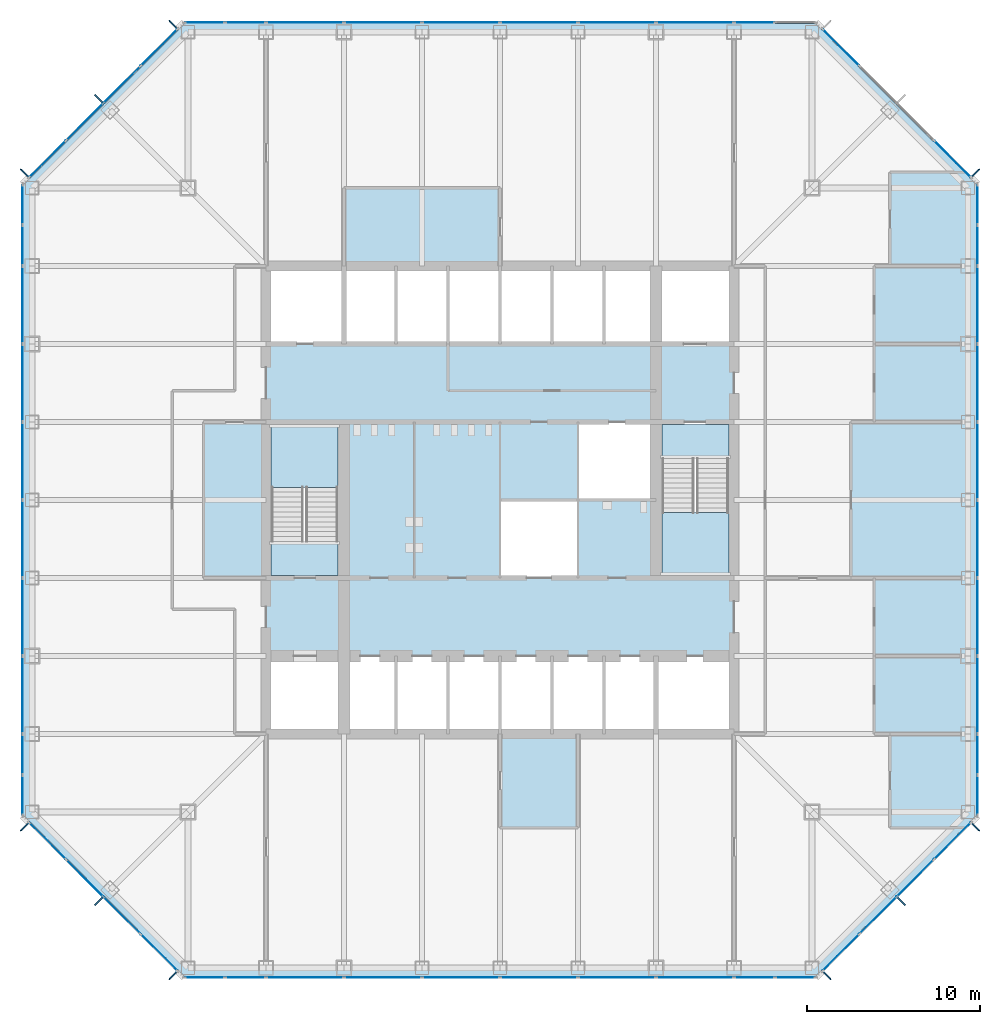
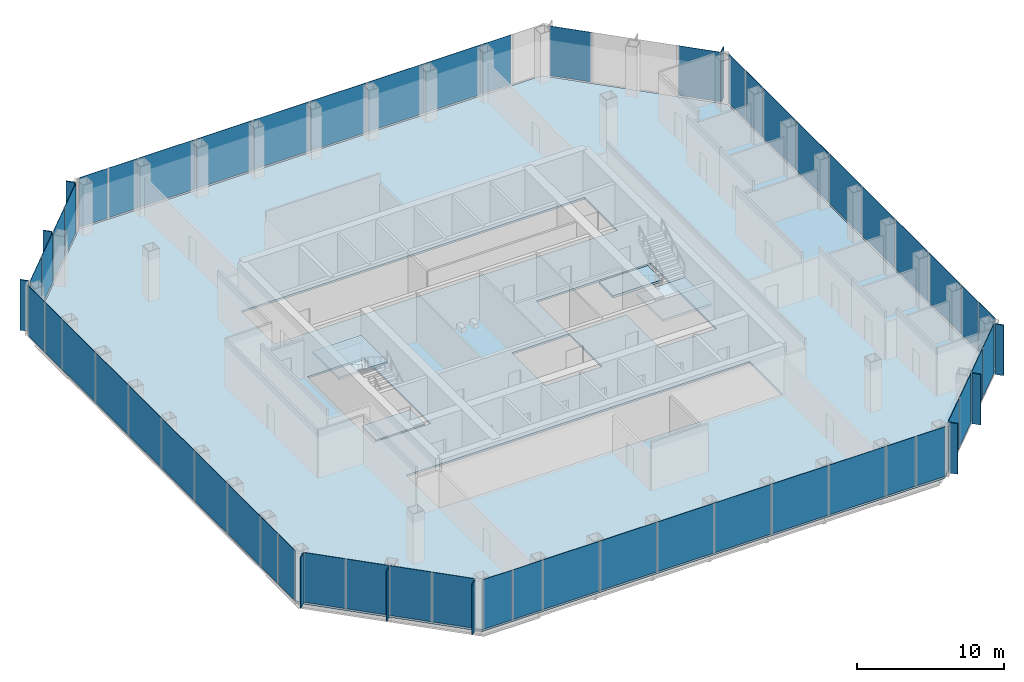
# One storey, part 7 of 12: 63 plates, 5 slabs, 10 elements without a shape of their own.
"""IFC4 building model written with IfcOpenShell, lengths in metres."""

from ifc_helpers import new_model, si_unit, direction, frame, origin, origin_2d, place, context, subcontext, project, spatial, polyline, rectangle, outline, extrude, material, layer, layer_set, type_object, element, aggregate, save


model = new_model("IFC4")

# Units and contexts
model_context = context("Model", 3, precision=1e-05, world=origin(), true_north=direction((0.0, 1.0)))
body_context = subcontext(model_context, "Body", "Model", "MODEL_VIEW")
ifc_project = project(units=[si_unit("LENGTHUNIT", "METRE"), si_unit("AREAUNIT", "SQUARE_METRE"), si_unit("VOLUMEUNIT", "CUBIC_METRE"), si_unit("PLANEANGLEUNIT", "RADIAN"), si_unit("MASSUNIT", "GRAM", prefix="KILO")], contexts=[model_context])

# Site, building, storey
site_placement = place(None, origin())
site = spatial("IfcSite", under=ifc_project, at=site_placement, CompositionType="ELEMENT")
building_placement = place(site_placement, origin())
building = spatial("IfcBuilding", under=site, at=building_placement, Name="Corais Broadcast Tower", CompositionType="ELEMENT")
storey_placement = place(building_placement, frame((0.0, 0.0, 75.199951171875)))
storey = spatial("IfcBuildingStorey", under=building, at=storey_placement, Name="L16", CompositionType="ELEMENT", Elevation=75.199951171875)

# Slab
ifc_material_1 = material(Name="Concrete C30/37", Category="concrete")
ifc_layer_1 = layer(ifc_material_1, 0.159912109375)
ifc_layer_set_1 = layer_set([ifc_layer_1], Name="Concrete C30/37")
slab_type_1 = type_object("IfcSlabType", Name="Composite floor slab 160", PredefinedType="FLOOR", material=ifc_layer_set_1)
slab_1_placement = place(storey_placement, frame((0.0, 0.0, -0.159912109375)))
element("IfcSlab", 1, at=slab_1_placement, inside=storey, type_object=slab_type_1, Name="S160 floor slab L16", PredefinedType="FLOOR", context=body_context, shape_type="SweptSolid", body=[
    extrude(outline(polyline([(8.80126953125, -0.47998046875), (-0.47998046875, 8.80126953125), (-0.47998046875, 45.19873046875), (8.80126953125, 54.47998046875), (45.19873046875, 54.47998046875), (54.47998046875, 45.19873046875), (54.47998046875, 8.80126953125), (45.19873046875, -0.47998046875), (8.80126953125, -0.47998046875)]), holes=[polyline([(13.5, 18.0), (40.5, 18.0), (40.5, 13.5), (13.5, 13.5), (13.5, 18.0)]), polyline([(13.5, 22.5), (13.5, 31.5), (18.0, 31.5), (18.0, 22.5), (13.5, 22.5)]), polyline([(13.5, 40.5), (40.5, 40.5), (40.5, 36.0), (13.5, 36.0), (13.5, 40.5)]), polyline([(27.0, 22.5), (27.0, 27.0), (31.4951171875, 27.0), (31.4951171875, 27.0048828125), (31.5, 27.0048828125), (31.5, 31.5), (40.5, 31.5), (40.5, 22.5), (36.0, 22.5), (36.0, 27.0), (31.5048828125, 27.0), (31.5048828125, 26.9951171875), (31.5, 26.9951171875), (31.5, 22.5), (27.0, 22.5)])]), origin(), (0.0, 0.0, 1.0), 0.159912109375),
])

# Curtain wall, plates
ifc_material_2 = material(Name="Aluminium and glass", Category="aluminium")
curtain_wall_type = type_object("IfcCurtainWallType", Name="Unitised fritted curtain wall CW1", PredefinedType="NOTDEFINED", material=ifc_material_2)
curtain_wall_1_placement = place(storey_placement, origin())
curtain_wall_1 = element("IfcCurtainWall", 2, at=curtain_wall_1_placement, inside=storey, type_object=curtain_wall_type, Name="CW1 curtain wall L16 1", PredefinedType="NOTDEFINED")
ifc_material_3 = material(Name="Ceramic-fritted laminated glass", Category="glass")
ifc_layer_2 = layer(ifc_material_3, 0.030029296875)
ifc_layer_set_2 = layer_set([ifc_layer_2], Name="Ceramic-fritted laminated glass")
plate_type_1 = type_object("IfcPlateType", Name="Fritted glass panel CW1", PredefinedType="CURTAIN_PANEL", material=ifc_layer_set_2)
plate_1_placement = place(storey_placement, frame((7.330322265625, 0.891845703125, 0.06494140625), z_axis=(0.0, 0.0, 1.0), x_axis=(-0.707106781187, 0.707106781187, 0.0)))
plate_1 = element("IfcPlate", 3, at=plate_1_placement, type_object=plate_type_1, Name="CW1 panel 1", PredefinedType="CURTAIN_PANEL", context=body_context, shape_type="SweptSolid", body=[
    extrude(rectangle(XDim=2.9482421875, YDim=0.030029296875, at=origin_2d()), origin(), (0.0, 0.0, 1.0), 4.135009765625),
])
plate_2_placement = place(storey_placement, frame((3.0341796875, 5.18798828125, 0.06494140625), z_axis=(0.0, 0.0, 1.0), x_axis=(-0.707106781187, 0.707106781187, 0.0)))
plate_2 = element("IfcPlate", 4, at=plate_2_placement, type_object=plate_type_1, Name="CW1 panel 3", PredefinedType="CURTAIN_PANEL", context=body_context, shape_type="SweptSolid", body=[
    extrude(rectangle(XDim=2.98095703125, YDim=0.030029296875, at=origin_2d()), origin(), (0.0, 0.0, 1.0), 4.135009765625),
])

curtain_wall_2_placement = place(storey_placement, origin())
curtain_wall_2 = element("IfcCurtainWall", 5, at=curtain_wall_2_placement, inside=storey, type_object=curtain_wall_type, Name="CW1 curtain wall L16 2", PredefinedType="NOTDEFINED")
plate_3_placement = place(storey_placement, frame((-0.550048828125, 9.970458984375, 0.06494140625), z_axis=(0.0, 0.0, 1.0), x_axis=(0.0, 1.0, 0.0)))
plate_3 = element("IfcPlate", 6, at=plate_3_placement, type_object=plate_type_1, Name="CW1 panel 1", PredefinedType="CURTAIN_PANEL", context=body_context, shape_type="SweptSolid", body=[
    extrude(rectangle(XDim=2.266357421875, YDim=0.030029296875, at=origin_2d()), origin(), (0.0, 0.0, 1.0), 4.135009765625),
])
plate_4_placement = place(storey_placement, frame((-0.550048828125, 15.75, 0.06494140625), z_axis=(0.0, 0.0, 1.0), x_axis=(0.0, 1.0, 0.0)))
plate_4 = element("IfcPlate", 7, at=plate_4_placement, type_object=plate_type_1, Name="CW1 panel 3", PredefinedType="CURTAIN_PANEL", context=body_context, shape_type="SweptSolid", body=[
    extrude(rectangle(XDim=4.43505859375, YDim=0.030029296875, at=origin_2d()), origin(), (0.0, 0.0, 1.0), 4.135009765625),
])
plate_5_placement = place(storey_placement, frame((-0.550048828125, 24.75, 0.06494140625), z_axis=(0.0, 0.0, 1.0), x_axis=(0.0, 1.0, 0.0)))
plate_5 = element("IfcPlate", 8, at=plate_5_placement, type_object=plate_type_1, Name="CW1 panel 5", PredefinedType="CURTAIN_PANEL", context=body_context, shape_type="SweptSolid", body=[
    extrude(rectangle(XDim=4.43505859375, YDim=0.030029296875, at=origin_2d()), origin(), (0.0, 0.0, 1.0), 4.135009765625),
])
plate_6_placement = place(storey_placement, frame((-0.550048828125, 33.75, 0.06494140625), z_axis=(0.0, 0.0, 1.0), x_axis=(0.0, 1.0, 0.0)))
plate_6 = element("IfcPlate", 9, at=plate_6_placement, type_object=plate_type_1, Name="CW1 panel 7", PredefinedType="CURTAIN_PANEL", context=body_context, shape_type="SweptSolid", body=[
    extrude(rectangle(XDim=4.43505859375, YDim=0.030029296875, at=origin_2d()), origin(), (0.0, 0.0, 1.0), 4.135009765625),
])
plate_7_placement = place(storey_placement, frame((-0.550048828125, 41.681884765625, 0.06494140625), z_axis=(0.0, 0.0, 1.0), x_axis=(0.0, 1.0, 0.0)))
plate_7 = element("IfcPlate", 10, at=plate_7_placement, type_object=plate_type_1, Name="CW1 panel 9", PredefinedType="CURTAIN_PANEL", context=body_context, shape_type="SweptSolid", body=[
    extrude(rectangle(XDim=2.298828125, YDim=0.030029296875, at=origin_2d()), origin(), (0.0, 0.0, 1.0), 4.135009765625),
])

curtain_wall_3_placement = place(storey_placement, origin())
curtain_wall_3 = element("IfcCurtainWall", 11, at=curtain_wall_3_placement, inside=storey, type_object=curtain_wall_type, Name="CW1 curtain wall L16 3", PredefinedType="NOTDEFINED")
plate_8_placement = place(storey_placement, frame((0.891845703125, 46.669677734375, 0.06494140625), z_axis=(0.0, 0.0, 1.0), x_axis=(0.707106781187, 0.707106781187, 0.0)))
plate_8 = element("IfcPlate", 12, at=plate_8_placement, type_object=plate_type_1, Name="CW1 panel 1", PredefinedType="CURTAIN_PANEL", context=body_context, shape_type="SweptSolid", body=[
    extrude(rectangle(XDim=2.9482421875, YDim=0.030029296875, at=origin_2d()), origin(), (0.0, 0.0, 1.0), 4.135009765625),
])
plate_9_placement = place(storey_placement, frame((5.18798828125, 50.9658203125, 0.06494140625), z_axis=(0.0, 0.0, 1.0), x_axis=(0.707106781187, 0.707106781187, 0.0)))
plate_9 = element("IfcPlate", 13, at=plate_9_placement, type_object=plate_type_1, Name="CW1 panel 3", PredefinedType="CURTAIN_PANEL", context=body_context, shape_type="SweptSolid", body=[
    extrude(rectangle(XDim=2.98095703125, YDim=0.030029296875, at=origin_2d()), origin(), (0.0, 0.0, 1.0), 4.135009765625),
])

curtain_wall_4_placement = place(storey_placement, origin())
curtain_wall_4 = element("IfcCurtainWall", 14, at=curtain_wall_4_placement, inside=storey, type_object=curtain_wall_type, Name="CW1 curtain wall L16 4", PredefinedType="NOTDEFINED")
plate_10_placement = place(storey_placement, frame((9.970458984375, 54.550048828125, 0.06494140625), z_axis=(0.0, 0.0, 1.0), x_axis=(1.0, 0.0, 0.0)))
plate_10 = element("IfcPlate", 15, at=plate_10_placement, type_object=plate_type_1, Name="CW1 panel 1", PredefinedType="CURTAIN_PANEL", context=body_context, shape_type="SweptSolid", body=[
    extrude(rectangle(XDim=2.266357421875, YDim=0.030029296875, at=origin_2d()), origin(), (0.0, 0.0, 1.0), 4.135009765625),
])
plate_11_placement = place(storey_placement, frame((15.75, 54.550048828125, 0.06494140625), z_axis=(0.0, 0.0, 1.0), x_axis=(1.0, 0.0, 0.0)))
plate_11 = element("IfcPlate", 16, at=plate_11_placement, type_object=plate_type_1, Name="CW1 panel 3", PredefinedType="CURTAIN_PANEL", context=body_context, shape_type="SweptSolid", body=[
    extrude(rectangle(XDim=4.43505859375, YDim=0.030029296875, at=origin_2d()), origin(), (0.0, 0.0, 1.0), 4.135009765625),
])
plate_12_placement = place(storey_placement, frame((24.75, 54.550048828125, 0.06494140625), z_axis=(0.0, 0.0, 1.0), x_axis=(1.0, 0.0, 0.0)))
plate_12 = element("IfcPlate", 17, at=plate_12_placement, type_object=plate_type_1, Name="CW1 panel 5", PredefinedType="CURTAIN_PANEL", context=body_context, shape_type="SweptSolid", body=[
    extrude(rectangle(XDim=4.43505859375, YDim=0.030029296875, at=origin_2d()), origin(), (0.0, 0.0, 1.0), 4.135009765625),
])
plate_13_placement = place(storey_placement, frame((33.75, 54.550048828125, 0.06494140625), z_axis=(0.0, 0.0, 1.0), x_axis=(1.0, 0.0, 0.0)))
plate_13 = element("IfcPlate", 18, at=plate_13_placement, type_object=plate_type_1, Name="CW1 panel 7", PredefinedType="CURTAIN_PANEL", context=body_context, shape_type="SweptSolid", body=[
    extrude(rectangle(XDim=4.43505859375, YDim=0.030029296875, at=origin_2d()), origin(), (0.0, 0.0, 1.0), 4.135009765625),
])
plate_14_placement = place(storey_placement, frame((41.681884765625, 54.550048828125, 0.06494140625), z_axis=(0.0, 0.0, 1.0), x_axis=(1.0, 0.0, 0.0)))
plate_14 = element("IfcPlate", 19, at=plate_14_placement, type_object=plate_type_1, Name="CW1 panel 9", PredefinedType="CURTAIN_PANEL", context=body_context, shape_type="SweptSolid", body=[
    extrude(rectangle(XDim=2.298828125, YDim=0.030029296875, at=origin_2d()), origin(), (0.0, 0.0, 1.0), 4.135009765625),
])

# Curtain wall, plate
curtain_wall_5_placement = place(storey_placement, origin())
curtain_wall_5 = element("IfcCurtainWall", 20, at=curtain_wall_5_placement, inside=storey, type_object=curtain_wall_type, Name="CW1 curtain wall L16 5", PredefinedType="NOTDEFINED")
plate_15_placement = place(storey_placement, frame((46.669677734375, 53.108154296875, 0.06494140625), z_axis=(0.0, 0.0, 1.0), x_axis=(0.707106781187, -0.707106781187, 0.0)))
plate_15 = element("IfcPlate", 21, at=plate_15_placement, type_object=plate_type_1, Name="CW1 panel 1", PredefinedType="CURTAIN_PANEL", context=body_context, shape_type="SweptSolid", body=[
    extrude(rectangle(XDim=2.9482421875, YDim=0.030029296875, at=origin_2d()), origin(), (0.0, 0.0, 1.0), 4.135009765625),
])

# Curtain wall, plates
curtain_wall_6_placement = place(storey_placement, origin())
curtain_wall_6 = element("IfcCurtainWall", 22, at=curtain_wall_6_placement, inside=storey, type_object=curtain_wall_type, Name="CW1 curtain wall L16 6", PredefinedType="NOTDEFINED")
plate_16_placement = place(storey_placement, frame((54.550048828125, 44.029541015625, 0.06494140625), z_axis=(0.0, 0.0, 1.0), x_axis=(0.0, -1.0, 0.0)))
plate_16 = element("IfcPlate", 23, at=plate_16_placement, type_object=plate_type_1, Name="CW1 panel 1", PredefinedType="CURTAIN_PANEL", context=body_context, shape_type="SweptSolid", body=[
    extrude(rectangle(XDim=2.266357421875, YDim=0.030029296875, at=origin_2d()), origin(), (0.0, 0.0, 1.0), 4.135009765625),
])
plate_17_placement = place(storey_placement, frame((54.550048828125, 38.25, 0.06494140625), z_axis=(0.0, 0.0, 1.0), x_axis=(0.0, -1.0, 0.0)))
plate_17 = element("IfcPlate", 24, at=plate_17_placement, type_object=plate_type_1, Name="CW1 panel 3", PredefinedType="CURTAIN_PANEL", context=body_context, shape_type="SweptSolid", body=[
    extrude(rectangle(XDim=4.43505859375, YDim=0.030029296875, at=origin_2d()), origin(), (0.0, 0.0, 1.0), 4.135009765625),
])
plate_18_placement = place(storey_placement, frame((54.550048828125, 29.25, 0.06494140625), z_axis=(0.0, 0.0, 1.0), x_axis=(0.0, -1.0, 0.0)))
plate_18 = element("IfcPlate", 25, at=plate_18_placement, type_object=plate_type_1, Name="CW1 panel 5", PredefinedType="CURTAIN_PANEL", context=body_context, shape_type="SweptSolid", body=[
    extrude(rectangle(XDim=4.43505859375, YDim=0.030029296875, at=origin_2d()), origin(), (0.0, 0.0, 1.0), 4.135009765625),
])
plate_19_placement = place(storey_placement, frame((54.550048828125, 20.25, 0.06494140625), z_axis=(0.0, 0.0, 1.0), x_axis=(0.0, -1.0, 0.0)))
plate_19 = element("IfcPlate", 26, at=plate_19_placement, type_object=plate_type_1, Name="CW1 panel 7", PredefinedType="CURTAIN_PANEL", context=body_context, shape_type="SweptSolid", body=[
    extrude(rectangle(XDim=4.43505859375, YDim=0.030029296875, at=origin_2d()), origin(), (0.0, 0.0, 1.0), 4.135009765625),
])
plate_20_placement = place(storey_placement, frame((54.550048828125, 12.318115234375, 0.06494140625), z_axis=(0.0, 0.0, 1.0), x_axis=(0.0, -1.0, 0.0)))
plate_20 = element("IfcPlate", 27, at=plate_20_placement, type_object=plate_type_1, Name="CW1 panel 9", PredefinedType="CURTAIN_PANEL", context=body_context, shape_type="SweptSolid", body=[
    extrude(rectangle(XDim=2.298828125, YDim=0.030029296875, at=origin_2d()), origin(), (0.0, 0.0, 1.0), 4.135009765625),
])

curtain_wall_7_placement = place(storey_placement, origin())
curtain_wall_7 = element("IfcCurtainWall", 28, at=curtain_wall_7_placement, inside=storey, type_object=curtain_wall_type, Name="CW1 curtain wall L16 7", PredefinedType="NOTDEFINED")
plate_21_placement = place(storey_placement, frame((53.108154296875, 7.330322265625, 0.06494140625), z_axis=(0.0, 0.0, 1.0), x_axis=(-0.707106781187, -0.707106781187, 0.0)))
plate_21 = element("IfcPlate", 29, at=plate_21_placement, type_object=plate_type_1, Name="CW1 panel 1", PredefinedType="CURTAIN_PANEL", context=body_context, shape_type="SweptSolid", body=[
    extrude(rectangle(XDim=2.9482421875, YDim=0.030029296875, at=origin_2d()), origin(), (0.0, 0.0, 1.0), 4.135009765625),
])
plate_22_placement = place(storey_placement, frame((48.81201171875, 3.0341796875, 0.06494140625), z_axis=(0.0, 0.0, 1.0), x_axis=(-0.707106781187, -0.707106781187, 0.0)))
plate_22 = element("IfcPlate", 30, at=plate_22_placement, type_object=plate_type_1, Name="CW1 panel 3", PredefinedType="CURTAIN_PANEL", context=body_context, shape_type="SweptSolid", body=[
    extrude(rectangle(XDim=2.98095703125, YDim=0.030029296875, at=origin_2d()), origin(), (0.0, 0.0, 1.0), 4.135009765625),
])

curtain_wall_8_placement = place(storey_placement, origin())
curtain_wall_8 = element("IfcCurtainWall", 31, at=curtain_wall_8_placement, inside=storey, type_object=curtain_wall_type, Name="CW1 curtain wall L16 8", PredefinedType="NOTDEFINED")
plate_23_placement = place(storey_placement, frame((44.029541015625, -0.550048828125, 0.06494140625), z_axis=(0.0, 0.0, 1.0), x_axis=(-1.0, 0.0, 0.0)))
plate_23 = element("IfcPlate", 32, at=plate_23_placement, type_object=plate_type_1, Name="CW1 panel 1", PredefinedType="CURTAIN_PANEL", context=body_context, shape_type="SweptSolid", body=[
    extrude(rectangle(XDim=2.266357421875, YDim=0.030029296875, at=origin_2d()), origin(), (0.0, 0.0, 1.0), 4.135009765625),
])
plate_24_placement = place(storey_placement, frame((38.25, -0.550048828125, 0.06494140625), z_axis=(0.0, 0.0, 1.0), x_axis=(-1.0, 0.0, 0.0)))
plate_24 = element("IfcPlate", 33, at=plate_24_placement, type_object=plate_type_1, Name="CW1 panel 3", PredefinedType="CURTAIN_PANEL", context=body_context, shape_type="SweptSolid", body=[
    extrude(rectangle(XDim=4.43505859375, YDim=0.030029296875, at=origin_2d()), origin(), (0.0, 0.0, 1.0), 4.135009765625),
])
plate_25_placement = place(storey_placement, frame((29.25, -0.550048828125, 0.06494140625), z_axis=(0.0, 0.0, 1.0), x_axis=(-1.0, 0.0, 0.0)))
plate_25 = element("IfcPlate", 34, at=plate_25_placement, type_object=plate_type_1, Name="CW1 panel 5", PredefinedType="CURTAIN_PANEL", context=body_context, shape_type="SweptSolid", body=[
    extrude(rectangle(XDim=4.43505859375, YDim=0.030029296875, at=origin_2d()), origin(), (0.0, 0.0, 1.0), 4.135009765625),
])
plate_26_placement = place(storey_placement, frame((20.25, -0.550048828125, 0.06494140625), z_axis=(0.0, 0.0, 1.0), x_axis=(-1.0, 0.0, 0.0)))
plate_26 = element("IfcPlate", 35, at=plate_26_placement, type_object=plate_type_1, Name="CW1 panel 7", PredefinedType="CURTAIN_PANEL", context=body_context, shape_type="SweptSolid", body=[
    extrude(rectangle(XDim=4.43505859375, YDim=0.030029296875, at=origin_2d()), origin(), (0.0, 0.0, 1.0), 4.135009765625),
])
plate_27_placement = place(storey_placement, frame((12.318115234375, -0.550048828125, 0.06494140625), z_axis=(0.0, 0.0, 1.0), x_axis=(-1.0, 0.0, 0.0)))
plate_27 = element("IfcPlate", 36, at=plate_27_placement, type_object=plate_type_1, Name="CW1 panel 9", PredefinedType="CURTAIN_PANEL", context=body_context, shape_type="SweptSolid", body=[
    extrude(rectangle(XDim=2.298828125, YDim=0.030029296875, at=origin_2d()), origin(), (0.0, 0.0, 1.0), 4.135009765625),
])

# Plate
ifc_material_4 = material(Name="Clear laminated glass", Category="glass")
ifc_layer_3 = layer(ifc_material_4, 0.033935546875)
ifc_layer_set_3 = layer_set([ifc_layer_3], Name="Clear laminated glass")
plate_type_2 = type_object("IfcPlateType", Name="Operable glass panel CW1", PredefinedType="CURTAIN_PANEL", material=ifc_layer_set_3)
plate_28_placement = place(storey_placement, frame((5.18798828125, 3.0341796875, 0.06494140625), z_axis=(0.0, 0.0, 1.0), x_axis=(-0.707106781187, 0.707106781187, 0.0)))
plate_28 = element("IfcPlate", 37, at=plate_28_placement, type_object=plate_type_2, Name="CW1 operable panel 2", PredefinedType="CURTAIN_PANEL", context=body_context, shape_type="SweptSolid", body=[
    extrude(rectangle(XDim=2.98095703125, YDim=0.033935546875, at=origin_2d()), origin(), (0.0, 0.0, 1.0), 4.135009765625),
])

plate_29_placement = place(storey_placement, frame((0.89208984375, 7.330322265625, 0.06494140625), z_axis=(0.0, 0.0, 1.0), x_axis=(-0.707106781187, 0.707106781187, 0.0)))
plate_29 = element("IfcPlate", 38, at=plate_29_placement, type_object=plate_type_2, Name="CW1 operable panel 4", PredefinedType="CURTAIN_PANEL", context=body_context, shape_type="SweptSolid", body=[
    extrude(rectangle(XDim=2.948486328125, YDim=0.033935546875, at=origin_2d()), origin(), (0.0, 0.0, 1.0), 4.135009765625),
])

aggregate(curtain_wall_1, [plate_1, plate_28, plate_2, plate_29])

plate_30_placement = place(storey_placement, frame((-0.550048828125, 12.318115234375, 0.06494140625), z_axis=(0.0, 0.0, 1.0), x_axis=(0.0, 1.0, 0.0)))
plate_30 = element("IfcPlate", 39, at=plate_30_placement, type_object=plate_type_2, Name="CW1 operable panel 2", PredefinedType="CURTAIN_PANEL", context=body_context, shape_type="SweptSolid", body=[
    extrude(rectangle(XDim=2.298828125, YDim=0.033935546875, at=origin_2d()), origin(), (0.0, 0.0, 1.0), 4.135009765625),
])

plate_31_placement = place(storey_placement, frame((-0.550048828125, 20.25, 0.06494140625), z_axis=(0.0, 0.0, 1.0), x_axis=(0.0, 1.0, 0.0)))
plate_31 = element("IfcPlate", 40, at=plate_31_placement, type_object=plate_type_2, Name="CW1 operable panel 4", PredefinedType="CURTAIN_PANEL", context=body_context, shape_type="SweptSolid", body=[
    extrude(rectangle(XDim=4.43505859375, YDim=0.033935546875, at=origin_2d()), origin(), (0.0, 0.0, 1.0), 4.135009765625),
])

plate_32_placement = place(storey_placement, frame((-0.550048828125, 29.25, 0.06494140625), z_axis=(0.0, 0.0, 1.0), x_axis=(0.0, 1.0, 0.0)))
plate_32 = element("IfcPlate", 41, at=plate_32_placement, type_object=plate_type_2, Name="CW1 operable panel 6", PredefinedType="CURTAIN_PANEL", context=body_context, shape_type="SweptSolid", body=[
    extrude(rectangle(XDim=4.43505859375, YDim=0.033935546875, at=origin_2d()), origin(), (0.0, 0.0, 1.0), 4.135009765625),
])

plate_33_placement = place(storey_placement, frame((-0.550048828125, 38.25, 0.06494140625), z_axis=(0.0, 0.0, 1.0), x_axis=(0.0, 1.0, 0.0)))
plate_33 = element("IfcPlate", 42, at=plate_33_placement, type_object=plate_type_2, Name="CW1 operable panel 8", PredefinedType="CURTAIN_PANEL", context=body_context, shape_type="SweptSolid", body=[
    extrude(rectangle(XDim=4.43505859375, YDim=0.033935546875, at=origin_2d()), origin(), (0.0, 0.0, 1.0), 4.135009765625),
])

plate_34_placement = place(storey_placement, frame((-0.550048828125, 44.029541015625, 0.06494140625), z_axis=(0.0, 0.0, 1.0), x_axis=(0.0, 1.0, 0.0)))
plate_34 = element("IfcPlate", 43, at=plate_34_placement, type_object=plate_type_2, Name="CW1 operable panel 10", PredefinedType="CURTAIN_PANEL", context=body_context, shape_type="SweptSolid", body=[
    extrude(rectangle(XDim=2.266357421875, YDim=0.033935546875, at=origin_2d()), origin(), (0.0, 0.0, 1.0), 4.135009765625),
])

aggregate(curtain_wall_2, [plate_3, plate_30, plate_4, plate_31, plate_5, plate_32, plate_6, plate_33, plate_7, plate_34])

plate_35_placement = place(storey_placement, frame((3.0341796875, 48.81201171875, 0.06494140625), z_axis=(0.0, 0.0, 1.0), x_axis=(0.707106781187, 0.707106781187, 0.0)))
plate_35 = element("IfcPlate", 44, at=plate_35_placement, type_object=plate_type_2, Name="CW1 operable panel 2", PredefinedType="CURTAIN_PANEL", context=body_context, shape_type="SweptSolid", body=[
    extrude(rectangle(XDim=2.98095703125, YDim=0.033935546875, at=origin_2d()), origin(), (0.0, 0.0, 1.0), 4.135009765625),
])

plate_36_placement = place(storey_placement, frame((7.330322265625, 53.10791015625, 0.06494140625), z_axis=(0.0, 0.0, 1.0), x_axis=(0.707106781187, 0.707106781187, 0.0)))
plate_36 = element("IfcPlate", 45, at=plate_36_placement, type_object=plate_type_2, Name="CW1 operable panel 4", PredefinedType="CURTAIN_PANEL", context=body_context, shape_type="SweptSolid", body=[
    extrude(rectangle(XDim=2.948486328125, YDim=0.033935546875, at=origin_2d()), origin(), (0.0, 0.0, 1.0), 4.135009765625),
])

aggregate(curtain_wall_3, [plate_8, plate_35, plate_9, plate_36])

plate_37_placement = place(storey_placement, frame((12.318115234375, 54.550048828125, 0.06494140625), z_axis=(0.0, 0.0, 1.0), x_axis=(1.0, 0.0, 0.0)))
plate_37 = element("IfcPlate", 46, at=plate_37_placement, type_object=plate_type_2, Name="CW1 operable panel 2", PredefinedType="CURTAIN_PANEL", context=body_context, shape_type="SweptSolid", body=[
    extrude(rectangle(XDim=2.298828125, YDim=0.033935546875, at=origin_2d()), origin(), (0.0, 0.0, 1.0), 4.135009765625),
])

plate_38_placement = place(storey_placement, frame((20.25, 54.550048828125, 0.06494140625), z_axis=(0.0, 0.0, 1.0), x_axis=(1.0, 0.0, 0.0)))
plate_38 = element("IfcPlate", 47, at=plate_38_placement, type_object=plate_type_2, Name="CW1 operable panel 4", PredefinedType="CURTAIN_PANEL", context=body_context, shape_type="SweptSolid", body=[
    extrude(rectangle(XDim=4.43505859375, YDim=0.033935546875, at=origin_2d()), origin(), (0.0, 0.0, 1.0), 4.135009765625),
])

plate_39_placement = place(storey_placement, frame((29.25, 54.550048828125, 0.06494140625), z_axis=(0.0, 0.0, 1.0), x_axis=(1.0, 0.0, 0.0)))
plate_39 = element("IfcPlate", 48, at=plate_39_placement, type_object=plate_type_2, Name="CW1 operable panel 6", PredefinedType="CURTAIN_PANEL", context=body_context, shape_type="SweptSolid", body=[
    extrude(rectangle(XDim=4.43505859375, YDim=0.033935546875, at=origin_2d()), origin(), (0.0, 0.0, 1.0), 4.135009765625),
])

plate_40_placement = place(storey_placement, frame((38.25, 54.550048828125, 0.06494140625), z_axis=(0.0, 0.0, 1.0), x_axis=(1.0, 0.0, 0.0)))
plate_40 = element("IfcPlate", 49, at=plate_40_placement, type_object=plate_type_2, Name="CW1 operable panel 8", PredefinedType="CURTAIN_PANEL", context=body_context, shape_type="SweptSolid", body=[
    extrude(rectangle(XDim=4.43505859375, YDim=0.033935546875, at=origin_2d()), origin(), (0.0, 0.0, 1.0), 4.135009765625),
])

aggregate(curtain_wall_4, [plate_10, plate_37, plate_11, plate_38, plate_12, plate_39, plate_13, plate_40, plate_14])

plate_41_placement = place(storey_placement, frame((53.10791015625, 46.669677734375, 0.06494140625), z_axis=(0.0, 0.0, 1.0), x_axis=(0.707106781187, -0.707106781187, 0.0)))
plate_41 = element("IfcPlate", 50, at=plate_41_placement, type_object=plate_type_2, Name="CW1 operable panel 4", PredefinedType="CURTAIN_PANEL", context=body_context, shape_type="SweptSolid", body=[
    extrude(rectangle(XDim=2.948486328125, YDim=0.033935546875, at=origin_2d()), origin(), (0.0, 0.0, 1.0), 4.135009765625),
])

aggregate(curtain_wall_5, [plate_15, plate_41])

plate_42_placement = place(storey_placement, frame((54.550048828125, 41.681884765625, 0.06494140625), z_axis=(0.0, 0.0, 1.0), x_axis=(0.0, -1.0, 0.0)))
plate_42 = element("IfcPlate", 51, at=plate_42_placement, type_object=plate_type_2, Name="CW1 operable panel 2", PredefinedType="CURTAIN_PANEL", context=body_context, shape_type="SweptSolid", body=[
    extrude(rectangle(XDim=2.298828125, YDim=0.033935546875, at=origin_2d()), origin(), (0.0, 0.0, 1.0), 4.135009765625),
])

plate_43_placement = place(storey_placement, frame((54.550048828125, 33.75, 0.06494140625), z_axis=(0.0, 0.0, 1.0), x_axis=(0.0, -1.0, 0.0)))
plate_43 = element("IfcPlate", 52, at=plate_43_placement, type_object=plate_type_2, Name="CW1 operable panel 4", PredefinedType="CURTAIN_PANEL", context=body_context, shape_type="SweptSolid", body=[
    extrude(rectangle(XDim=4.43505859375, YDim=0.033935546875, at=origin_2d()), origin(), (0.0, 0.0, 1.0), 4.135009765625),
])

plate_44_placement = place(storey_placement, frame((54.550048828125, 24.75, 0.06494140625), z_axis=(0.0, 0.0, 1.0), x_axis=(0.0, -1.0, 0.0)))
plate_44 = element("IfcPlate", 53, at=plate_44_placement, type_object=plate_type_2, Name="CW1 operable panel 6", PredefinedType="CURTAIN_PANEL", context=body_context, shape_type="SweptSolid", body=[
    extrude(rectangle(XDim=4.43505859375, YDim=0.033935546875, at=origin_2d()), origin(), (0.0, 0.0, 1.0), 4.135009765625),
])

plate_45_placement = place(storey_placement, frame((54.550048828125, 15.75, 0.06494140625), z_axis=(0.0, 0.0, 1.0), x_axis=(0.0, -1.0, 0.0)))
plate_45 = element("IfcPlate", 54, at=plate_45_placement, type_object=plate_type_2, Name="CW1 operable panel 8", PredefinedType="CURTAIN_PANEL", context=body_context, shape_type="SweptSolid", body=[
    extrude(rectangle(XDim=4.43505859375, YDim=0.033935546875, at=origin_2d()), origin(), (0.0, 0.0, 1.0), 4.135009765625),
])

plate_46_placement = place(storey_placement, frame((54.550048828125, 9.970458984375, 0.06494140625), z_axis=(0.0, 0.0, 1.0), x_axis=(0.0, -1.0, 0.0)))
plate_46 = element("IfcPlate", 55, at=plate_46_placement, type_object=plate_type_2, Name="CW1 operable panel 10", PredefinedType="CURTAIN_PANEL", context=body_context, shape_type="SweptSolid", body=[
    extrude(rectangle(XDim=2.266357421875, YDim=0.033935546875, at=origin_2d()), origin(), (0.0, 0.0, 1.0), 4.135009765625),
])

aggregate(curtain_wall_6, [plate_16, plate_42, plate_17, plate_43, plate_18, plate_44, plate_19, plate_45, plate_20, plate_46])

plate_47_placement = place(storey_placement, frame((50.9658203125, 5.18798828125, 0.06494140625), z_axis=(0.0, 0.0, 1.0), x_axis=(-0.707106781187, -0.707106781187, 0.0)))
plate_47 = element("IfcPlate", 56, at=plate_47_placement, type_object=plate_type_2, Name="CW1 operable panel 2", PredefinedType="CURTAIN_PANEL", context=body_context, shape_type="SweptSolid", body=[
    extrude(rectangle(XDim=2.98095703125, YDim=0.033935546875, at=origin_2d()), origin(), (0.0, 0.0, 1.0), 4.135009765625),
])

plate_48_placement = place(storey_placement, frame((46.669677734375, 0.89208984375, 0.06494140625), z_axis=(0.0, 0.0, 1.0), x_axis=(-0.707106781187, -0.707106781187, 0.0)))
plate_48 = element("IfcPlate", 57, at=plate_48_placement, type_object=plate_type_2, Name="CW1 operable panel 4", PredefinedType="CURTAIN_PANEL", context=body_context, shape_type="SweptSolid", body=[
    extrude(rectangle(XDim=2.948486328125, YDim=0.033935546875, at=origin_2d()), origin(), (0.0, 0.0, 1.0), 4.135009765625),
])

aggregate(curtain_wall_7, [plate_21, plate_47, plate_22, plate_48])

plate_49_placement = place(storey_placement, frame((41.681884765625, -0.550048828125, 0.06494140625), z_axis=(0.0, 0.0, 1.0), x_axis=(-1.0, 0.0, 0.0)))
plate_49 = element("IfcPlate", 58, at=plate_49_placement, type_object=plate_type_2, Name="CW1 operable panel 2", PredefinedType="CURTAIN_PANEL", context=body_context, shape_type="SweptSolid", body=[
    extrude(rectangle(XDim=2.298828125, YDim=0.033935546875, at=origin_2d()), origin(), (0.0, 0.0, 1.0), 4.135009765625),
])

plate_50_placement = place(storey_placement, frame((33.75, -0.550048828125, 0.06494140625), z_axis=(0.0, 0.0, 1.0), x_axis=(-1.0, 0.0, 0.0)))
plate_50 = element("IfcPlate", 59, at=plate_50_placement, type_object=plate_type_2, Name="CW1 operable panel 4", PredefinedType="CURTAIN_PANEL", context=body_context, shape_type="SweptSolid", body=[
    extrude(rectangle(XDim=4.43505859375, YDim=0.033935546875, at=origin_2d()), origin(), (0.0, 0.0, 1.0), 4.135009765625),
])

plate_51_placement = place(storey_placement, frame((24.75, -0.550048828125, 0.06494140625), z_axis=(0.0, 0.0, 1.0), x_axis=(-1.0, 0.0, 0.0)))
plate_51 = element("IfcPlate", 60, at=plate_51_placement, type_object=plate_type_2, Name="CW1 operable panel 6", PredefinedType="CURTAIN_PANEL", context=body_context, shape_type="SweptSolid", body=[
    extrude(rectangle(XDim=4.43505859375, YDim=0.033935546875, at=origin_2d()), origin(), (0.0, 0.0, 1.0), 4.135009765625),
])

plate_52_placement = place(storey_placement, frame((15.75, -0.550048828125, 0.06494140625), z_axis=(0.0, 0.0, 1.0), x_axis=(-1.0, 0.0, 0.0)))
plate_52 = element("IfcPlate", 61, at=plate_52_placement, type_object=plate_type_2, Name="CW1 operable panel 8", PredefinedType="CURTAIN_PANEL", context=body_context, shape_type="SweptSolid", body=[
    extrude(rectangle(XDim=4.43505859375, YDim=0.033935546875, at=origin_2d()), origin(), (0.0, 0.0, 1.0), 4.135009765625),
])

plate_53_placement = place(storey_placement, frame((9.970458984375, -0.550048828125, 0.06494140625), z_axis=(0.0, 0.0, 1.0), x_axis=(-1.0, 0.0, 0.0)))
plate_53 = element("IfcPlate", 62, at=plate_53_placement, type_object=plate_type_2, Name="CW1 operable panel 10", PredefinedType="CURTAIN_PANEL", context=body_context, shape_type="SweptSolid", body=[
    extrude(rectangle(XDim=2.266357421875, YDim=0.033935546875, at=origin_2d()), origin(), (0.0, 0.0, 1.0), 4.135009765625),
])

aggregate(curtain_wall_8, [plate_23, plate_49, plate_24, plate_50, plate_25, plate_51, plate_26, plate_52, plate_27, plate_53])

# Stair, slabs
ifc_material_5 = material(Name="Concrete C30/37", Category="concrete")
stair_type = type_object("IfcStairType", Name="Half-turn stair 4200", PredefinedType="HALF_TURN_STAIR", material=ifc_material_5)
stair_1_placement = place(storey_placement, origin())
stair_1 = element("IfcStair", 63, at=stair_1_placement, inside=storey, type_object=stair_type, Name="Stair A L16", PredefinedType="HALF_TURN_STAIR")
ifc_material_6 = material(Name="Concrete C30/37", Category="concrete")
ifc_layer_4 = layer(ifc_material_6, 0.199951171875)
ifc_layer_set_4 = layer_set([ifc_layer_4], Name="Concrete C30/37")
slab_type_2 = type_object("IfcSlabType", Name="Stair landing 200", PredefinedType="LANDING", material=ifc_layer_set_4)
slab_2_placement = place(storey_placement, frame((0.0, 0.0, -0.199951171875)))
slab_2 = element("IfcSlab", 64, at=slab_2_placement, type_object=slab_type_2, Name="STA landing 1", PredefinedType="LANDING", context=body_context, shape_type="SweptSolid", body=[
    extrude(outline(polyline([(13.800048828125, 22.64990234375), (17.64990234375, 22.64990234375), (17.64990234375, 24.60009765625), (13.800048828125, 24.60009765625), (13.800048828125, 22.64990234375)])), origin(), (0.0, 0.0, 1.0), 0.199951171875),
])
slab_3_placement = place(storey_placement, frame((0.0, 0.0, 1.900146484375)))
slab_3 = element("IfcSlab", 65, at=slab_3_placement, type_object=slab_type_2, Name="STA landing 2", PredefinedType="LANDING", context=body_context, shape_type="SweptSolid", body=[
    extrude(outline(polyline([(13.800048828125, 27.735107421875), (17.64990234375, 27.735107421875), (17.64990234375, 31.35009765625), (13.800048828125, 31.35009765625), (13.800048828125, 27.735107421875)])), origin(), (0.0, 0.0, 1.0), 0.199951171875),
])
aggregate(stair_1, [slab_2, slab_3])

stair_2_placement = place(storey_placement, origin())
stair_2 = element("IfcStair", 66, at=stair_2_placement, inside=storey, type_object=stair_type, Name="Stair B L16", PredefinedType="HALF_TURN_STAIR")
slab_4_placement = place(storey_placement, frame((0.0, 0.0, -0.199951171875)))
slab_4 = element("IfcSlab", 67, at=slab_4_placement, type_object=slab_type_2, Name="STB landing 1", PredefinedType="LANDING", context=body_context, shape_type="SweptSolid", body=[
    extrude(outline(polyline([(36.35009765625, 29.39990234375), (40.199951171875, 29.39990234375), (40.199951171875, 31.35009765625), (36.35009765625, 31.35009765625), (36.35009765625, 29.39990234375)])), origin(), (0.0, 0.0, 1.0), 0.199951171875),
])
slab_5_placement = place(storey_placement, frame((0.0, 0.0, 1.900146484375)))
slab_5 = element("IfcSlab", 68, at=slab_5_placement, type_object=slab_type_2, Name="STB landing 2", PredefinedType="LANDING", context=body_context, shape_type="SweptSolid", body=[
    extrude(outline(polyline([(36.35009765625, 22.64990234375), (40.199951171875, 22.64990234375), (40.199951171875, 26.264892578125), (36.35009765625, 26.264892578125), (36.35009765625, 22.64990234375)])), origin(), (0.0, 0.0, 1.0), 0.199951171875),
])
aggregate(stair_2, [slab_4, slab_5])

# Plates
ifc_material_7 = material(Name="Granite stone cladding", Category="masonry")
ifc_layer_5 = layer(ifc_material_7, 0.080078125)
ifc_layer_set_5 = layer_set([ifc_layer_5], Name="Granite stone cladding")
plate_type_3 = type_object("IfcPlateType", Name="Stone screen fin 80x600", PredefinedType="USERDEFINED", material=ifc_layer_set_5)
for number, where, z_axis, x_axis, name in (
    (69, (8.114990234375, -0.4541015625, 0.0), (0.0, 0.0, 1.0), (-0.707106781187, 0.707106781187, 0.0), "SF1 stone screen fin L16"),
    (70, (3.830322265625, 3.830322265625, 0.0), (0.0, 0.0, 1.0), (-0.707106781187, 0.707106781187, 0.0), "SF1 stone screen fin L16"),
    (71, (-0.4541015625, 8.114990234375, 0.0), (0.0, 0.0, 1.0), (-0.707106781187, 0.707106781187, 0.0), "SF1 stone screen fin L16"),
    (72, (-0.4541015625, 45.885009765625, 0.0), (0.0, 0.0, 1.0), (0.707106781187, 0.707106781187, 0.0), "SF1 stone screen fin L16"),
    (73, (3.830322265625, 50.169677734375, 0.0), (0.0, 0.0, 1.0), (0.707106781187, 0.707106781187, 0.0), "SF1 stone screen fin L16"),
    (74, (8.114990234375, 54.4541015625, 0.0), (0.0, 0.0, 1.0), (0.707106781187, 0.707106781187, 0.0), "SF1 stone screen fin L16"),
    (75, (54.4541015625, 45.885009765625, 0.0), (0.0, 0.0, 1.0), (0.707106781187, -0.707106781187, 0.0), "SF1 stone screen fin L16"),
    (76, (54.4541015625, 8.114990234375, 0.0), (0.0, 0.0, 1.0), (-0.707106781187, -0.707106781187, 0.0), "SF1 stone screen fin L16"),
    (77, (50.169677734375, 3.830322265625, 0.0), (0.0, 0.0, 1.0), (-0.707106781187, -0.707106781187, 0.0), "SF1 stone screen fin L16"),
    (78, (45.885009765625, -0.4541015625, 0.0), (0.0, 0.0, 1.0), (-0.707106781187, -0.707106781187, 0.0), "SF1 stone screen fin L16"),
):
    element("IfcPlate", number, at=place(storey_placement, frame(where, z_axis=z_axis, x_axis=x_axis)), inside=storey, type_object=plate_type_3, Name=name, ObjectType="STONE SCREEN FIN", PredefinedType="USERDEFINED", context=body_context, shape_type="SweptSolid", body=[
        extrude(rectangle(XDim=0.080078125, YDim=0.60009765625, at=origin_2d()), origin(), (0.0, 0.0, 1.0), 4.199951171875),
    ])

save(model, "model.ifc")
